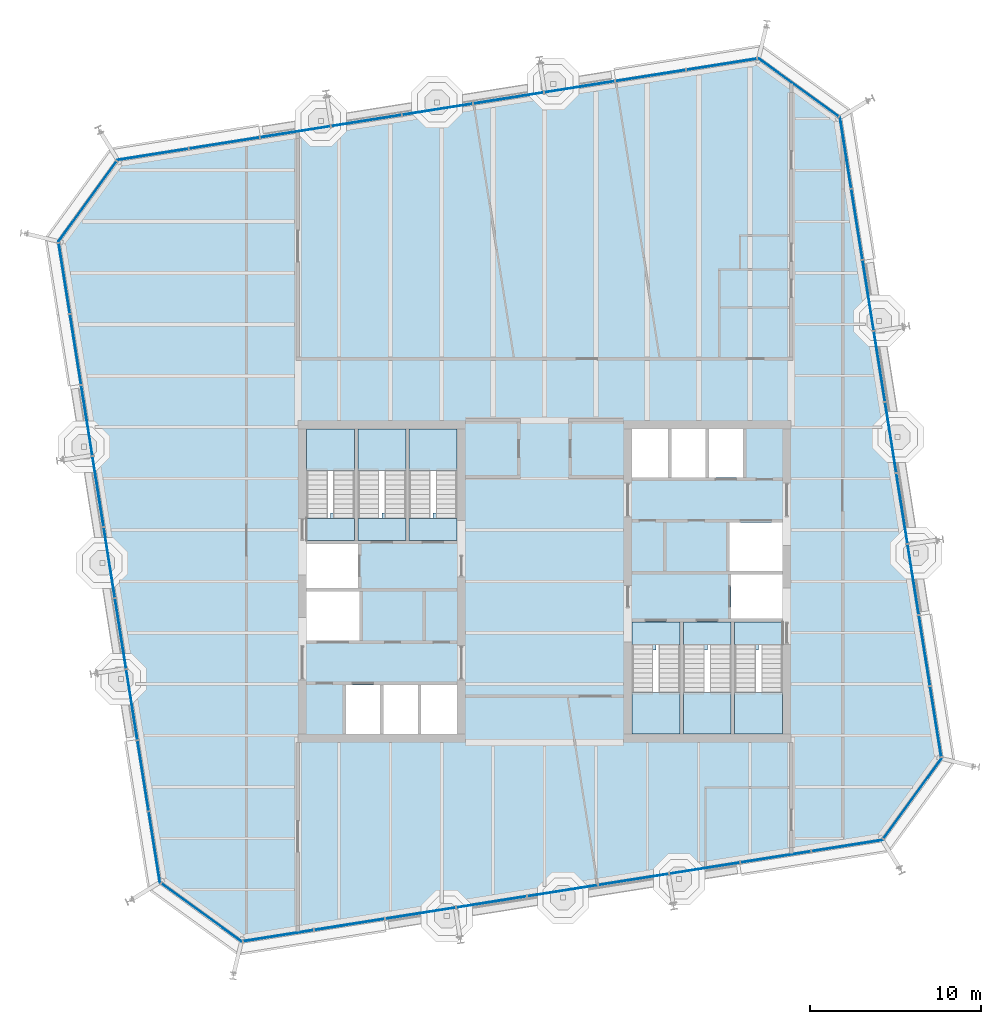
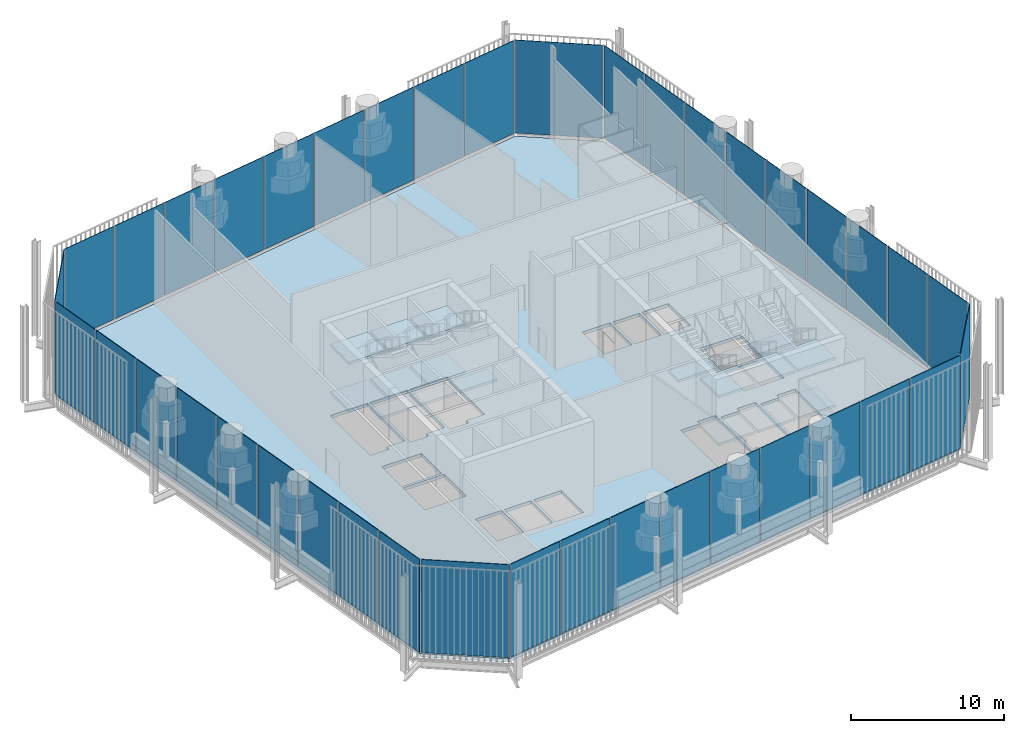
# One storey, part 10 of 17: 40 plates, 19 slabs, 14 elements without a shape of their own.
"""IFC4 building model written with IfcOpenShell, lengths in metres."""

from ifc_helpers import new_model, si_unit, direction, frame, origin, place, context, subcontext, project, spatial, polyline, outline, extrude, material, layer, layer_set, type_object, element, aggregate, save


model = new_model("IFC4")

# Units and contexts
model_context = context("Model", 3, precision=1e-05, world=origin(), true_north=direction((0.0, 1.0)))
body_context = subcontext(model_context, "Body", "Model", "MODEL_VIEW")
ifc_project = project(units=[si_unit("LENGTHUNIT", "METRE"), si_unit("AREAUNIT", "SQUARE_METRE"), si_unit("VOLUMEUNIT", "CUBIC_METRE"), si_unit("PLANEANGLEUNIT", "RADIAN"), si_unit("MASSUNIT", "GRAM", prefix="KILO")], contexts=[model_context])

# Site, building, storey
site_placement = place(None, origin())
site = spatial("IfcSite", under=ifc_project, at=site_placement, CompositionType="ELEMENT")
building_placement = place(site_placement, origin())
building = spatial("IfcBuilding", under=site, at=building_placement, Name="Millrace Tower", CompositionType="ELEMENT")
storey_placement = place(building_placement, frame((0.0, 0.0, 239.800048828125)))
storey = spatial("IfcBuildingStorey", under=building, at=storey_placement, Name="L55", CompositionType="ELEMENT", Elevation=239.800048828125)

# Curtain wall, plate
ifc_material_1 = material(Name="Aluminium and glass", Category="aluminium")
ifc_layer_1 = layer(ifc_material_1, 0.199951171875)
ifc_layer_set_1 = layer_set([ifc_layer_1], Name="Aluminium and glass")
curtain_wall_type = type_object("IfcCurtainWallType", Name="CW-4 sky garden winter glazing", PredefinedType="NOTDEFINED", material=ifc_layer_set_1)
placement_1 = place(storey_placement, origin())
curtain_wall_1 = element("IfcCurtainWall", 1, at=placement_1, inside=storey, type_object=curtain_wall_type, Name="Curtain wall D-F01 L55", PredefinedType="NOTDEFINED")
ifc_material_2 = material(Name="Glass", Category="glass")
ifc_layer_2 = layer(ifc_material_2, 0.0439453125)
ifc_layer_set_2 = layer_set([ifc_layer_2], Name="Glass")
plate_type = type_object("IfcPlateType", Name="CW-4 sky garden winter glazing triple-glazed double-height panel", PredefinedType="CURTAIN_PANEL", material=ifc_layer_set_2)
placement_2 = place(storey_placement, frame((0.0, 0.0, 0.179931640625)))
plate_1 = element("IfcPlate", 2, at=placement_2, type_object=plate_type, Name="CW4 panel D-F01.1", PredefinedType="CURTAIN_PANEL", context=body_context, shape_type="SweptSolid", body=[
    extrude(outline(polyline([(-22.3671875, -17.6611328125), (-17.7001953125, -21.0517578125), (-17.68896484375, -21.005615234375), (-22.34130859375, -17.62548828125), (-22.3671875, -17.6611328125)])), origin(), (0.0, 0.0, 1.0), 7.419921875),
])
aggregate(curtain_wall_1, [plate_1])

# Curtain wall, plates
curtain_wall_2 = element("IfcCurtainWall", 3, at=placement_1, inside=storey, type_object=curtain_wall_type, Name="Curtain wall D-F02 L55", PredefinedType="NOTDEFINED")
plate_2 = element("IfcPlate", 4, at=placement_2, type_object=plate_type, Name="CW4 panel D-F02.1", PredefinedType="CURTAIN_PANEL", context=body_context, shape_type="SweptSolid", body=[
    extrude(outline(polyline([(-17.5712890625, -21.031494140625), (-13.501953125, -20.386962890625), (-13.5087890625, -20.343505859375), (-17.578125, -20.988037109375), (-17.5712890625, -21.031494140625)])), origin(), (0.0, 0.0, 1.0), 7.419921875),
])
plate_3 = element("IfcPlate", 5, at=placement_2, type_object=plate_type, Name="CW4 panel D-F02.2", PredefinedType="CURTAIN_PANEL", context=body_context, shape_type="SweptSolid", body=[
    extrude(outline(polyline([(-13.4228515625, -20.37451171875), (-9.353759765625, -19.72998046875), (-9.360595703125, -19.6865234375), (-13.4296875, -20.3310546875), (-13.4228515625, -20.37451171875)])), origin(), (0.0, 0.0, 1.0), 7.419921875),
])
plate_4 = element("IfcPlate", 6, at=placement_2, type_object=plate_type, Name="CW4 panel D-F02.3", PredefinedType="CURTAIN_PANEL", context=body_context, shape_type="SweptSolid", body=[
    extrude(outline(polyline([(-9.274658203125, -19.71728515625), (-5.205322265625, -19.07275390625), (-5.212158203125, -19.029296875), (-9.281494140625, -19.673828125), (-9.274658203125, -19.71728515625)])), origin(), (0.0, 0.0, 1.0), 7.419921875),
])
plate_5 = element("IfcPlate", 7, at=placement_2, type_object=plate_type, Name="CW4 panel D-F02.4", PredefinedType="CURTAIN_PANEL", context=body_context, shape_type="SweptSolid", body=[
    extrude(outline(polyline([(-5.12646484375, -19.060302734375), (-1.05712890625, -18.415771484375), (-1.06396484375, -18.372314453125), (-5.13330078125, -19.016845703125), (-5.12646484375, -19.060302734375)])), origin(), (0.0, 0.0, 1.0), 7.419921875),
])
plate_6 = element("IfcPlate", 8, at=placement_2, type_object=plate_type, Name="CW4 panel D-F02.5", PredefinedType="CURTAIN_PANEL", context=body_context, shape_type="SweptSolid", body=[
    extrude(outline(polyline([(-0.97802734375, -18.4033203125), (3.09130859375, -17.7587890625), (3.084228515625, -17.71533203125), (-0.98486328125, -18.35986328125), (-0.97802734375, -18.4033203125)])), origin(), (0.0, 0.0, 1.0), 7.419921875),
])
plate_7 = element("IfcPlate", 9, at=placement_2, type_object=plate_type, Name="CW4 panel D-F02.6", PredefinedType="CURTAIN_PANEL", context=body_context, shape_type="SweptSolid", body=[
    extrude(outline(polyline([(3.170166015625, -17.746337890625), (7.239501953125, -17.101806640625), (7.232666015625, -17.058349609375), (3.163330078125, -17.702880859375), (3.170166015625, -17.746337890625)])), origin(), (0.0, 0.0, 1.0), 7.419921875),
])
plate_8 = element("IfcPlate", 10, at=placement_2, type_object=plate_type, Name="CW4 panel D-F02.7", PredefinedType="CURTAIN_PANEL", context=body_context, shape_type="SweptSolid", body=[
    extrude(outline(polyline([(7.318603515625, -17.08935546875), (11.3876953125, -16.44482421875), (11.380859375, -16.4013671875), (7.311767578125, -17.0458984375), (7.318603515625, -17.08935546875)])), origin(), (0.0, 0.0, 1.0), 7.419921875),
])
plate_9 = element("IfcPlate", 11, at=placement_2, type_object=plate_type, Name="CW4 panel D-F02.8", PredefinedType="CURTAIN_PANEL", context=body_context, shape_type="SweptSolid", body=[
    extrude(outline(polyline([(11.466796875, -16.432373046875), (15.5361328125, -15.787841796875), (15.529296875, -15.744384765625), (11.4599609375, -16.388916015625), (11.466796875, -16.432373046875)])), origin(), (0.0, 0.0, 1.0), 7.419921875),
])
plate_10 = element("IfcPlate", 12, at=placement_2, type_object=plate_type, Name="CW4 panel D-F02.9", PredefinedType="CURTAIN_PANEL", context=body_context, shape_type="SweptSolid", body=[
    extrude(outline(polyline([(15.614990234375, -15.775146484375), (19.734375, -15.122802734375), (19.70947265625, -15.082275390625), (15.608154296875, -15.731689453125), (15.614990234375, -15.775146484375)])), origin(), (0.0, 0.0, 1.0), 7.419921875),
])
aggregate(curtain_wall_2, [plate_2, plate_3, plate_4, plate_5, plate_6, plate_7, plate_8, plate_9, plate_10])

# Curtain wall, plate
curtain_wall_3 = element("IfcCurtainWall", 13, at=placement_1, inside=storey, type_object=curtain_wall_type, Name="Curtain wall D-F03 L55", PredefinedType="NOTDEFINED")
plate_11 = element("IfcPlate", 14, at=placement_2, type_object=plate_type, Name="CW4 panel D-F03.1", PredefinedType="CURTAIN_PANEL", context=body_context, shape_type="SweptSolid", body=[
    extrude(outline(polyline([(19.81103515625, -15.01708984375), (23.201904296875, -10.35009765625), (23.155517578125, -10.339111328125), (19.775390625, -14.991455078125), (19.81103515625, -15.01708984375)])), origin(), (0.0, 0.0, 1.0), 7.419921875),
])
aggregate(curtain_wall_3, [plate_11])

# Curtain wall, plates
curtain_wall_4 = element("IfcCurtainWall", 15, at=placement_1, inside=storey, type_object=curtain_wall_type, Name="Curtain wall D-F04 L55", PredefinedType="NOTDEFINED")
plate_12 = element("IfcPlate", 16, at=placement_2, type_object=plate_type, Name="CW4 panel D-F04.1", PredefinedType="CURTAIN_PANEL", context=body_context, shape_type="SweptSolid", body=[
    extrude(outline(polyline([(23.181396484375, -10.22119140625), (22.536865234375, -6.15185546875), (22.493408203125, -6.158935546875), (23.137939453125, -10.22802734375), (23.181396484375, -10.22119140625)])), origin(), (0.0, 0.0, 1.0), 7.419921875),
])
plate_13 = element("IfcPlate", 17, at=placement_2, type_object=plate_type, Name="CW4 panel D-F04.2", PredefinedType="CURTAIN_PANEL", context=body_context, shape_type="SweptSolid", body=[
    extrude(outline(polyline([(22.5244140625, -6.072998046875), (21.8798828125, -2.003662109375), (21.83642578125, -2.010498046875), (22.48095703125, -6.079833984375), (22.5244140625, -6.072998046875)])), origin(), (0.0, 0.0, 1.0), 7.419921875),
])
plate_14 = element("IfcPlate", 18, at=placement_2, type_object=plate_type, Name="CW4 panel D-F04.3", PredefinedType="CURTAIN_PANEL", context=body_context, shape_type="SweptSolid", body=[
    extrude(outline(polyline([(21.867431640625, -1.924560546875), (21.222900390625, 2.14453125), (21.179443359375, 2.1376953125), (21.823974609375, -1.931396484375), (21.867431640625, -1.924560546875)])), origin(), (0.0, 0.0, 1.0), 7.419921875),
])
plate_15 = element("IfcPlate", 19, at=placement_2, type_object=plate_type, Name="CW4 panel D-F04.4", PredefinedType="CURTAIN_PANEL", context=body_context, shape_type="SweptSolid", body=[
    extrude(outline(polyline([(21.21044921875, 2.2236328125), (20.56591796875, 6.29296875), (20.5224609375, 6.2861328125), (21.1669921875, 2.216796875), (21.21044921875, 2.2236328125)])), origin(), (0.0, 0.0, 1.0), 7.419921875),
])
plate_16 = element("IfcPlate", 20, at=placement_2, type_object=plate_type, Name="CW4 panel D-F04.5", PredefinedType="CURTAIN_PANEL", context=body_context, shape_type="SweptSolid", body=[
    extrude(outline(polyline([(20.55322265625, 6.371826171875), (19.908935546875, 10.441162109375), (19.865478515625, 10.434326171875), (20.509765625, 6.364990234375), (20.55322265625, 6.371826171875)])), origin(), (0.0, 0.0, 1.0), 7.419921875),
])
plate_17 = element("IfcPlate", 21, at=placement_2, type_object=plate_type, Name="CW4 panel D-F04.6", PredefinedType="CURTAIN_PANEL", context=body_context, shape_type="SweptSolid", body=[
    extrude(outline(polyline([(19.896240234375, 10.520263671875), (19.251708984375, 14.589599609375), (19.208251953125, 14.58251953125), (19.852783203125, 10.513427734375), (19.896240234375, 10.520263671875)])), origin(), (0.0, 0.0, 1.0), 7.419921875),
])
plate_18 = element("IfcPlate", 22, at=placement_2, type_object=plate_type, Name="CW4 panel D-F04.7", PredefinedType="CURTAIN_PANEL", context=body_context, shape_type="SweptSolid", body=[
    extrude(outline(polyline([(19.2392578125, 14.66845703125), (18.5947265625, 18.73779296875), (18.55126953125, 18.73095703125), (19.19580078125, 14.66162109375), (19.2392578125, 14.66845703125)])), origin(), (0.0, 0.0, 1.0), 7.419921875),
])
plate_19 = element("IfcPlate", 23, at=placement_2, type_object=plate_type, Name="CW4 panel D-F04.8", PredefinedType="CURTAIN_PANEL", context=body_context, shape_type="SweptSolid", body=[
    extrude(outline(polyline([(18.582275390625, 18.81689453125), (17.937744140625, 22.885986328125), (17.894287109375, 22.879150390625), (18.538818359375, 18.81005859375), (18.582275390625, 18.81689453125)])), origin(), (0.0, 0.0, 1.0), 7.419921875),
])
plate_20 = element("IfcPlate", 24, at=placement_2, type_object=plate_type, Name="CW4 panel D-F04.9", PredefinedType="CURTAIN_PANEL", context=body_context, shape_type="SweptSolid", body=[
    extrude(outline(polyline([(17.92529296875, 22.965087890625), (17.272705078125, 27.084228515625), (17.232177734375, 27.059326171875), (17.8818359375, 22.958251953125), (17.92529296875, 22.965087890625)])), origin(), (0.0, 0.0, 1.0), 7.419921875),
])
aggregate(curtain_wall_4, [plate_12, plate_13, plate_14, plate_15, plate_16, plate_17, plate_18, plate_19, plate_20])

# Curtain wall, plate
curtain_wall_5 = element("IfcCurtainWall", 25, at=placement_1, inside=storey, type_object=curtain_wall_type, Name="Curtain wall D-F05 L55", PredefinedType="NOTDEFINED")
plate_21 = element("IfcPlate", 26, at=placement_2, type_object=plate_type, Name="CW4 panel D-F05.1", PredefinedType="CURTAIN_PANEL", context=body_context, shape_type="SweptSolid", body=[
    extrude(outline(polyline([(17.167236328125, 27.1611328125), (12.500244140625, 30.5517578125), (12.489013671875, 30.505615234375), (17.141357421875, 27.12548828125), (17.167236328125, 27.1611328125)])), origin(), (0.0, 0.0, 1.0), 7.419921875),
])
aggregate(curtain_wall_5, [plate_21])

# Curtain wall, plates
curtain_wall_6 = element("IfcCurtainWall", 27, at=placement_1, inside=storey, type_object=curtain_wall_type, Name="Curtain wall D-F06 L55", PredefinedType="NOTDEFINED")
plate_22 = element("IfcPlate", 28, at=placement_2, type_object=plate_type, Name="CW4 panel D-F06.1", PredefinedType="CURTAIN_PANEL", context=body_context, shape_type="SweptSolid", body=[
    extrude(outline(polyline([(12.371337890625, 30.531494140625), (8.302001953125, 29.886962890625), (8.308837890625, 29.843505859375), (12.378173828125, 30.488037109375), (12.371337890625, 30.531494140625)])), origin(), (0.0, 0.0, 1.0), 7.419921875),
])
plate_23 = element("IfcPlate", 29, at=placement_2, type_object=plate_type, Name="CW4 panel D-F06.2", PredefinedType="CURTAIN_PANEL", context=body_context, shape_type="SweptSolid", body=[
    extrude(outline(polyline([(8.222900390625, 29.87451171875), (4.153564453125, 29.22998046875), (4.16064453125, 29.1865234375), (8.229736328125, 29.8310546875), (8.222900390625, 29.87451171875)])), origin(), (0.0, 0.0, 1.0), 7.419921875),
])
plate_24 = element("IfcPlate", 30, at=placement_2, type_object=plate_type, Name="CW4 panel D-F06.3", PredefinedType="CURTAIN_PANEL", context=body_context, shape_type="SweptSolid", body=[
    extrude(outline(polyline([(4.07470703125, 29.21728515625), (0.00537109375, 28.57275390625), (0.01220703125, 28.529296875), (4.08154296875, 29.173828125), (4.07470703125, 29.21728515625)])), origin(), (0.0, 0.0, 1.0), 7.419921875),
])
plate_25 = element("IfcPlate", 31, at=placement_2, type_object=plate_type, Name="CW4 panel D-F06.4", PredefinedType="CURTAIN_PANEL", context=body_context, shape_type="SweptSolid", body=[
    extrude(outline(polyline([(-0.07373046875, 28.560302734375), (-4.142822265625, 27.915771484375), (-4.135986328125, 27.872314453125), (-0.06689453125, 28.516845703125), (-0.07373046875, 28.560302734375)])), origin(), (0.0, 0.0, 1.0), 7.419921875),
])
plate_26 = element("IfcPlate", 32, at=placement_2, type_object=plate_type, Name="CW4 panel D-F06.5", PredefinedType="CURTAIN_PANEL", context=body_context, shape_type="SweptSolid", body=[
    extrude(outline(polyline([(-4.221923828125, 27.9033203125), (-8.291259765625, 27.2587890625), (-8.284423828125, 27.21533203125), (-4.215087890625, 27.85986328125), (-4.221923828125, 27.9033203125)])), origin(), (0.0, 0.0, 1.0), 7.419921875),
])
plate_27 = element("IfcPlate", 33, at=placement_2, type_object=plate_type, Name="CW4 panel D-F06.6", PredefinedType="CURTAIN_PANEL", context=body_context, shape_type="SweptSolid", body=[
    extrude(outline(polyline([(-8.3701171875, 27.246337890625), (-12.439453125, 26.601806640625), (-12.4326171875, 26.558349609375), (-8.36328125, 27.202880859375), (-8.3701171875, 27.246337890625)])), origin(), (0.0, 0.0, 1.0), 7.419921875),
])
plate_28 = element("IfcPlate", 34, at=placement_2, type_object=plate_type, Name="CW4 panel D-F06.7", PredefinedType="CURTAIN_PANEL", context=body_context, shape_type="SweptSolid", body=[
    extrude(outline(polyline([(-12.5185546875, 26.58935546875), (-16.587890625, 25.94482421875), (-16.580810546875, 25.9013671875), (-12.51171875, 26.5458984375), (-12.5185546875, 26.58935546875)])), origin(), (0.0, 0.0, 1.0), 7.419921875),
])
plate_29 = element("IfcPlate", 35, at=placement_2, type_object=plate_type, Name="CW4 panel D-F06.8", PredefinedType="CURTAIN_PANEL", context=body_context, shape_type="SweptSolid", body=[
    extrude(outline(polyline([(-16.666748046875, 25.932373046875), (-20.736083984375, 25.287841796875), (-20.729248046875, 25.244384765625), (-16.659912109375, 25.888916015625), (-16.666748046875, 25.932373046875)])), origin(), (0.0, 0.0, 1.0), 7.419921875),
])
plate_30 = element("IfcPlate", 36, at=placement_2, type_object=plate_type, Name="CW4 panel D-F06.9", PredefinedType="CURTAIN_PANEL", context=body_context, shape_type="SweptSolid", body=[
    extrude(outline(polyline([(-20.815185546875, 25.275146484375), (-24.934326171875, 24.622802734375), (-24.909423828125, 24.582275390625), (-20.808349609375, 25.231689453125), (-20.815185546875, 25.275146484375)])), origin(), (0.0, 0.0, 1.0), 7.419921875),
])
aggregate(curtain_wall_6, [plate_22, plate_23, plate_24, plate_25, plate_26, plate_27, plate_28, plate_29, plate_30])

# Curtain wall, plate
curtain_wall_7 = element("IfcCurtainWall", 37, at=placement_1, inside=storey, type_object=curtain_wall_type, Name="Curtain wall D-F07 L55", PredefinedType="NOTDEFINED")
plate_31 = element("IfcPlate", 38, at=placement_2, type_object=plate_type, Name="CW4 panel D-F07.1", PredefinedType="CURTAIN_PANEL", context=body_context, shape_type="SweptSolid", body=[
    extrude(outline(polyline([(-25.010986328125, 24.51708984375), (-28.40185546875, 19.85009765625), (-28.35546875, 19.839111328125), (-24.975341796875, 24.491455078125), (-25.010986328125, 24.51708984375)])), origin(), (0.0, 0.0, 1.0), 7.419921875),
])
aggregate(curtain_wall_7, [plate_31])

# Curtain wall, plates
curtain_wall_8 = element("IfcCurtainWall", 39, at=placement_1, inside=storey, type_object=curtain_wall_type, Name="Curtain wall D-F08 L55", PredefinedType="NOTDEFINED")
plate_32 = element("IfcPlate", 40, at=placement_2, type_object=plate_type, Name="CW4 panel D-F08.1", PredefinedType="CURTAIN_PANEL", context=body_context, shape_type="SweptSolid", body=[
    extrude(outline(polyline([(-28.38134765625, 19.72119140625), (-27.73681640625, 15.65185546875), (-27.693359375, 15.658935546875), (-28.337890625, 19.72802734375), (-28.38134765625, 19.72119140625)])), origin(), (0.0, 0.0, 1.0), 7.419921875),
])
plate_33 = element("IfcPlate", 41, at=placement_2, type_object=plate_type, Name="CW4 panel D-F08.2", PredefinedType="CURTAIN_PANEL", context=body_context, shape_type="SweptSolid", body=[
    extrude(outline(polyline([(-27.724365234375, 15.572998046875), (-27.079833984375, 11.503662109375), (-27.036376953125, 11.510498046875), (-27.680908203125, 15.579833984375), (-27.724365234375, 15.572998046875)])), origin(), (0.0, 0.0, 1.0), 7.419921875),
])
plate_34 = element("IfcPlate", 42, at=placement_2, type_object=plate_type, Name="CW4 panel D-F08.3", PredefinedType="CURTAIN_PANEL", context=body_context, shape_type="SweptSolid", body=[
    extrude(outline(polyline([(-27.0673828125, 11.424560546875), (-26.4228515625, 7.35546875), (-26.37939453125, 7.3623046875), (-27.02392578125, 11.431396484375), (-27.0673828125, 11.424560546875)])), origin(), (0.0, 0.0, 1.0), 7.419921875),
])
plate_35 = element("IfcPlate", 43, at=placement_2, type_object=plate_type, Name="CW4 panel D-F08.4", PredefinedType="CURTAIN_PANEL", context=body_context, shape_type="SweptSolid", body=[
    extrude(outline(polyline([(-26.410400390625, 7.2763671875), (-25.765869140625, 3.20703125), (-25.722412109375, 3.2138671875), (-26.366943359375, 7.283203125), (-26.410400390625, 7.2763671875)])), origin(), (0.0, 0.0, 1.0), 7.419921875),
])
plate_36 = element("IfcPlate", 44, at=placement_2, type_object=plate_type, Name="CW4 panel D-F08.5", PredefinedType="CURTAIN_PANEL", context=body_context, shape_type="SweptSolid", body=[
    extrude(outline(polyline([(-25.75341796875, 3.128173828125), (-25.10888671875, -0.941162109375), (-25.0654296875, -0.934326171875), (-25.7099609375, 3.135009765625), (-25.75341796875, 3.128173828125)])), origin(), (0.0, 0.0, 1.0), 7.419921875),
])
plate_37 = element("IfcPlate", 45, at=placement_2, type_object=plate_type, Name="CW4 panel D-F08.6", PredefinedType="CURTAIN_PANEL", context=body_context, shape_type="SweptSolid", body=[
    extrude(outline(polyline([(-25.09619140625, -1.020263671875), (-24.451904296875, -5.089599609375), (-24.408447265625, -5.08251953125), (-25.052734375, -1.013427734375), (-25.09619140625, -1.020263671875)])), origin(), (0.0, 0.0, 1.0), 7.419921875),
])
plate_38 = element("IfcPlate", 46, at=placement_2, type_object=plate_type, Name="CW4 panel D-F08.7", PredefinedType="CURTAIN_PANEL", context=body_context, shape_type="SweptSolid", body=[
    extrude(outline(polyline([(-24.439208984375, -5.16845703125), (-23.794677734375, -9.23779296875), (-23.751220703125, -9.23095703125), (-24.395751953125, -5.16162109375), (-24.439208984375, -5.16845703125)])), origin(), (0.0, 0.0, 1.0), 7.419921875),
])
plate_39 = element("IfcPlate", 47, at=placement_2, type_object=plate_type, Name="CW4 panel D-F08.8", PredefinedType="CURTAIN_PANEL", context=body_context, shape_type="SweptSolid", body=[
    extrude(outline(polyline([(-23.7822265625, -9.31689453125), (-23.1376953125, -13.385986328125), (-23.09423828125, -13.379150390625), (-23.73876953125, -9.31005859375), (-23.7822265625, -9.31689453125)])), origin(), (0.0, 0.0, 1.0), 7.419921875),
])
plate_40 = element("IfcPlate", 48, at=placement_2, type_object=plate_type, Name="CW4 panel D-F08.9", PredefinedType="CURTAIN_PANEL", context=body_context, shape_type="SweptSolid", body=[
    extrude(outline(polyline([(-23.125244140625, -13.465087890625), (-22.472900390625, -17.584228515625), (-22.43212890625, -17.559326171875), (-23.081787109375, -13.458251953125), (-23.125244140625, -13.465087890625)])), origin(), (0.0, 0.0, 1.0), 7.419921875),
])
aggregate(curtain_wall_8, [plate_32, plate_33, plate_34, plate_35, plate_36, plate_37, plate_38, plate_39, plate_40])

# Slab
ifc_material_3 = material(Name="Concrete C35 on steel deck", Category="concrete")
ifc_layer_3 = layer(ifc_material_3, 0.25)
ifc_layer_set_3 = layer_set([ifc_layer_3], Name="Concrete C35 on steel deck")
slab_type_1 = type_object("IfcSlabType", Name="Composite floor slab 250 mm", PredefinedType="FLOOR", material=ifc_layer_set_3)
slab_1_placement = place(storey_placement, frame((0.0, 0.0, -0.25)))
element("IfcSlab", 49, at=slab_1_placement, inside=storey, type_object=slab_type_1, Name="SL-D-L55-S1", PredefinedType="FLOOR", context=body_context, shape_type="SweptSolid", body=[
    extrude(outline(polyline([(-22.360107421875, -17.515380859375), (-17.66943359375, -20.92333984375), (19.665283203125, -15.01025390625), (23.073486328125, -10.3193359375), (17.16015625, 27.015380859375), (12.46923828125, 30.42333984375), (-24.865234375, 24.51025390625), (-28.2734375, 19.8193359375), (-22.360107421875, -17.515380859375)]), holes=[polyline([(-11.60009765625, -8.89990234375), (-9.60009765625, -8.89990234375), (-9.60009765625, -6.050048828125), (-11.60009765625, -6.050048828125), (-11.60009765625, -8.89990234375)]), polyline([(-9.39990234375, -8.89990234375), (-7.39990234375, -8.89990234375), (-7.39990234375, -6.050048828125), (-9.39990234375, -6.050048828125), (-9.39990234375, -8.89990234375)]), polyline([(-7.199951171875, -8.89990234375), (-5.10009765625, -8.89990234375), (-5.10009765625, -6.050048828125), (-7.199951171875, -6.050048828125), (-7.199951171875, -8.89990234375)]), polyline([(-13.89990234375, -3.449951171875), (-10.800048828125, -3.449951171875), (-10.800048828125, -0.60009765625), (-13.89990234375, -0.60009765625), (-13.89990234375, -3.449951171875)]), polyline([(-13.89990234375, -0.39990234375), (-10.89990234375, -0.39990234375), (-10.89990234375, 2.179931640625), (-13.89990234375, 2.179931640625), (-13.89990234375, -0.39990234375)]), polyline([(-12.5, 3.679931640625), (-12.5, 4.0), (-11.10009765625, 4.0), (-11.10009765625, 8.89990234375), (-12.5, 8.89990234375), (-13.89990234375, 8.89990234375), (-13.89990234375, 3.679931640625), (-12.5, 3.679931640625)]), polyline([(-9.5, 3.679931640625), (-9.5, 4.0), (-8.10009765625, 4.0), (-8.10009765625, 8.89990234375), (-9.5, 8.89990234375), (-10.89990234375, 8.89990234375), (-10.89990234375, 3.679931640625), (-9.5, 3.679931640625)]), polyline([(-6.5, 3.679931640625), (-6.5, 4.0), (-5.10009765625, 4.0), (-5.10009765625, 8.89990234375), (-6.5, 8.89990234375), (-7.89990234375, 8.89990234375), (-7.89990234375, 3.679931640625), (-6.5, 3.679931640625)]), polyline([(9.60009765625, 6.050048828125), (11.60009765625, 6.050048828125), (11.60009765625, 8.89990234375), (9.60009765625, 8.89990234375), (9.60009765625, 6.050048828125)]), polyline([(7.39990234375, 6.050048828125), (9.39990234375, 6.050048828125), (9.39990234375, 8.89990234375), (7.39990234375, 8.89990234375), (7.39990234375, 6.050048828125)]), polyline([(5.10009765625, 6.050048828125), (7.199951171875, 6.050048828125), (7.199951171875, 8.89990234375), (5.10009765625, 8.89990234375), (5.10009765625, 6.050048828125)]), polyline([(10.800048828125, 0.60009765625), (13.89990234375, 0.60009765625), (13.89990234375, 3.449951171875), (10.800048828125, 3.449951171875), (10.800048828125, 0.60009765625)]), polyline([(10.89990234375, -2.179931640625), (13.89990234375, -2.179931640625), (13.89990234375, 0.39990234375), (10.89990234375, 0.39990234375), (10.89990234375, -2.179931640625)]), polyline([(11.10009765625, -8.89990234375), (12.5, -8.89990234375), (13.89990234375, -8.89990234375), (13.89990234375, -3.679931640625), (12.5, -3.679931640625), (12.5, -4.0), (11.10009765625, -4.0), (11.10009765625, -8.89990234375)]), polyline([(8.10009765625, -8.89990234375), (9.5, -8.89990234375), (10.89990234375, -8.89990234375), (10.89990234375, -3.679931640625), (9.5, -3.679931640625), (9.5, -4.0), (8.10009765625, -4.0), (8.10009765625, -8.89990234375)]), polyline([(5.10009765625, -8.89990234375), (6.5, -8.89990234375), (7.89990234375, -8.89990234375), (7.89990234375, -3.679931640625), (6.5, -3.679931640625), (6.5, -4.0), (5.10009765625, -4.0), (5.10009765625, -8.89990234375)])]), origin(), (0.0, 0.0, 1.0), 0.25),
])

# Stair, slabs
ifc_material_4 = material(Name="Concrete C35", Category="concrete")
stair_type = type_object("IfcStairType", Name="Exit stair", PredefinedType="HALF_TURN_STAIR", material=ifc_material_4)
stair_1 = element("IfcStair", 50, at=placement_1, inside=storey, type_object=stair_type, Name="Stair 1 W L55", PredefinedType="HALF_TURN_STAIR")
ifc_material_5 = material(Name="Concrete C40", Category="concrete")
ifc_layer_4 = layer(ifc_material_5, 0.199951171875)
ifc_layer_set_4 = layer_set([ifc_layer_4], Name="Concrete C40")
slab_type_2 = type_object("IfcSlabType", Name="Stair landing", PredefinedType="LANDING", material=ifc_layer_set_4)
placement_3 = place(storey_placement, frame((0.0, 0.0, 1.699951171875)))
slab_2 = element("IfcSlab", 51, at=placement_3, type_object=slab_type_2, Name="ST12 landing 1", PredefinedType="LANDING", context=body_context, shape_type="SweptSolid", body=[
    extrude(outline(polyline([(-13.89990234375, 6.47998046875), (-11.10009765625, 6.47998046875), (-11.10009765625, 8.89990234375), (-13.89990234375, 8.89990234375), (-13.89990234375, 6.47998046875)])), origin(), (0.0, 0.0, 1.0), 0.199951171875),
])
placement_4 = place(storey_placement, frame((0.0, 0.0, 3.599853515625)))
slab_3 = element("IfcSlab", 52, at=placement_4, type_object=slab_type_2, Name="ST12 landing 2", PredefinedType="LANDING", context=body_context, shape_type="SweptSolid", body=[
    extrude(outline(polyline([(-13.89990234375, 2.3798828125), (-11.10009765625, 2.3798828125), (-11.10009765625, 3.679931640625), (-13.89990234375, 3.679931640625), (-13.89990234375, 2.3798828125)])), origin(), (0.0, 0.0, 1.0), 0.2001953125),
])
placement_5 = place(storey_placement, frame((0.0, 0.0, 5.5)))
slab_4 = element("IfcSlab", 53, at=placement_5, type_object=slab_type_2, Name="ST12 landing 3", PredefinedType="LANDING", context=body_context, shape_type="SweptSolid", body=[
    extrude(outline(polyline([(-13.89990234375, 6.47998046875), (-11.10009765625, 6.47998046875), (-11.10009765625, 8.89990234375), (-13.89990234375, 8.89990234375), (-13.89990234375, 6.47998046875)])), origin(), (0.0, 0.0, 1.0), 0.199951171875),
])
aggregate(stair_1, [slab_2, slab_3, slab_4])

stair_2 = element("IfcStair", 54, at=placement_1, inside=storey, type_object=stair_type, Name="Stair 2 W L55", PredefinedType="HALF_TURN_STAIR")
slab_5 = element("IfcSlab", 55, at=placement_3, type_object=slab_type_2, Name="ST12 landing 1", PredefinedType="LANDING", context=body_context, shape_type="SweptSolid", body=[
    extrude(outline(polyline([(-10.89990234375, 6.47998046875), (-8.10009765625, 6.47998046875), (-8.10009765625, 8.89990234375), (-10.89990234375, 8.89990234375), (-10.89990234375, 6.47998046875)])), origin(), (0.0, 0.0, 1.0), 0.199951171875),
])
slab_6 = element("IfcSlab", 56, at=placement_4, type_object=slab_type_2, Name="ST12 landing 2", PredefinedType="LANDING", context=body_context, shape_type="SweptSolid", body=[
    extrude(outline(polyline([(-10.89990234375, 2.3798828125), (-8.10009765625, 2.3798828125), (-8.10009765625, 3.679931640625), (-10.89990234375, 3.679931640625), (-10.89990234375, 2.3798828125)])), origin(), (0.0, 0.0, 1.0), 0.2001953125),
])
slab_7 = element("IfcSlab", 57, at=placement_5, type_object=slab_type_2, Name="ST12 landing 3", PredefinedType="LANDING", context=body_context, shape_type="SweptSolid", body=[
    extrude(outline(polyline([(-10.89990234375, 6.47998046875), (-8.10009765625, 6.47998046875), (-8.10009765625, 8.89990234375), (-10.89990234375, 8.89990234375), (-10.89990234375, 6.47998046875)])), origin(), (0.0, 0.0, 1.0), 0.199951171875),
])
aggregate(stair_2, [slab_5, slab_6, slab_7])

stair_3 = element("IfcStair", 58, at=placement_1, inside=storey, type_object=stair_type, Name="Stair 3 W L55", PredefinedType="HALF_TURN_STAIR")
slab_8 = element("IfcSlab", 59, at=placement_3, type_object=slab_type_2, Name="ST12 landing 1", PredefinedType="LANDING", context=body_context, shape_type="SweptSolid", body=[
    extrude(outline(polyline([(-7.89990234375, 6.47998046875), (-5.10009765625, 6.47998046875), (-5.10009765625, 8.89990234375), (-7.89990234375, 8.89990234375), (-7.89990234375, 6.47998046875)])), origin(), (0.0, 0.0, 1.0), 0.199951171875),
])
slab_9 = element("IfcSlab", 60, at=placement_4, type_object=slab_type_2, Name="ST12 landing 2", PredefinedType="LANDING", context=body_context, shape_type="SweptSolid", body=[
    extrude(outline(polyline([(-7.89990234375, 2.3798828125), (-5.10009765625, 2.3798828125), (-5.10009765625, 3.679931640625), (-7.89990234375, 3.679931640625), (-7.89990234375, 2.3798828125)])), origin(), (0.0, 0.0, 1.0), 0.2001953125),
])
slab_10 = element("IfcSlab", 61, at=placement_5, type_object=slab_type_2, Name="ST12 landing 3", PredefinedType="LANDING", context=body_context, shape_type="SweptSolid", body=[
    extrude(outline(polyline([(-7.89990234375, 6.47998046875), (-5.10009765625, 6.47998046875), (-5.10009765625, 8.89990234375), (-7.89990234375, 8.89990234375), (-7.89990234375, 6.47998046875)])), origin(), (0.0, 0.0, 1.0), 0.199951171875),
])
aggregate(stair_3, [slab_8, slab_9, slab_10])

stair_4 = element("IfcStair", 62, at=placement_1, inside=storey, type_object=stair_type, Name="Stair 1 E L55", PredefinedType="HALF_TURN_STAIR")
slab_11 = element("IfcSlab", 63, at=placement_3, type_object=slab_type_2, Name="ST12 landing 1", PredefinedType="LANDING", context=body_context, shape_type="SweptSolid", body=[
    extrude(outline(polyline([(11.10009765625, -8.89990234375), (13.89990234375, -8.89990234375), (13.89990234375, -6.47998046875), (11.10009765625, -6.47998046875), (11.10009765625, -8.89990234375)])), origin(), (0.0, 0.0, 1.0), 0.199951171875),
])
slab_12 = element("IfcSlab", 64, at=placement_4, type_object=slab_type_2, Name="ST12 landing 2", PredefinedType="LANDING", context=body_context, shape_type="SweptSolid", body=[
    extrude(outline(polyline([(11.10009765625, -3.679931640625), (13.89990234375, -3.679931640625), (13.89990234375, -2.3798828125), (11.10009765625, -2.3798828125), (11.10009765625, -3.679931640625)])), origin(), (0.0, 0.0, 1.0), 0.2001953125),
])
slab_13 = element("IfcSlab", 65, at=placement_5, type_object=slab_type_2, Name="ST12 landing 3", PredefinedType="LANDING", context=body_context, shape_type="SweptSolid", body=[
    extrude(outline(polyline([(11.10009765625, -8.89990234375), (13.89990234375, -8.89990234375), (13.89990234375, -6.47998046875), (11.10009765625, -6.47998046875), (11.10009765625, -8.89990234375)])), origin(), (0.0, 0.0, 1.0), 0.199951171875),
])
aggregate(stair_4, [slab_11, slab_12, slab_13])

stair_5 = element("IfcStair", 66, at=placement_1, inside=storey, type_object=stair_type, Name="Stair 2 E L55", PredefinedType="HALF_TURN_STAIR")
slab_14 = element("IfcSlab", 67, at=placement_3, type_object=slab_type_2, Name="ST12 landing 1", PredefinedType="LANDING", context=body_context, shape_type="SweptSolid", body=[
    extrude(outline(polyline([(8.10009765625, -8.89990234375), (10.89990234375, -8.89990234375), (10.89990234375, -6.47998046875), (8.10009765625, -6.47998046875), (8.10009765625, -8.89990234375)])), origin(), (0.0, 0.0, 1.0), 0.199951171875),
])
slab_15 = element("IfcSlab", 68, at=placement_4, type_object=slab_type_2, Name="ST12 landing 2", PredefinedType="LANDING", context=body_context, shape_type="SweptSolid", body=[
    extrude(outline(polyline([(8.10009765625, -3.679931640625), (10.89990234375, -3.679931640625), (10.89990234375, -2.3798828125), (8.10009765625, -2.3798828125), (8.10009765625, -3.679931640625)])), origin(), (0.0, 0.0, 1.0), 0.2001953125),
])
slab_16 = element("IfcSlab", 69, at=placement_5, type_object=slab_type_2, Name="ST12 landing 3", PredefinedType="LANDING", context=body_context, shape_type="SweptSolid", body=[
    extrude(outline(polyline([(8.10009765625, -8.89990234375), (10.89990234375, -8.89990234375), (10.89990234375, -6.47998046875), (8.10009765625, -6.47998046875), (8.10009765625, -8.89990234375)])), origin(), (0.0, 0.0, 1.0), 0.199951171875),
])
aggregate(stair_5, [slab_14, slab_15, slab_16])

stair_6 = element("IfcStair", 70, at=placement_1, inside=storey, type_object=stair_type, Name="Stair 3 E L55", PredefinedType="HALF_TURN_STAIR")
slab_17 = element("IfcSlab", 71, at=placement_3, type_object=slab_type_2, Name="ST12 landing 1", PredefinedType="LANDING", context=body_context, shape_type="SweptSolid", body=[
    extrude(outline(polyline([(5.10009765625, -8.89990234375), (7.89990234375, -8.89990234375), (7.89990234375, -6.47998046875), (5.10009765625, -6.47998046875), (5.10009765625, -8.89990234375)])), origin(), (0.0, 0.0, 1.0), 0.199951171875),
])
slab_18 = element("IfcSlab", 72, at=placement_4, type_object=slab_type_2, Name="ST12 landing 2", PredefinedType="LANDING", context=body_context, shape_type="SweptSolid", body=[
    extrude(outline(polyline([(5.10009765625, -3.679931640625), (7.89990234375, -3.679931640625), (7.89990234375, -2.3798828125), (5.10009765625, -2.3798828125), (5.10009765625, -3.679931640625)])), origin(), (0.0, 0.0, 1.0), 0.2001953125),
])
slab_19 = element("IfcSlab", 73, at=placement_5, type_object=slab_type_2, Name="ST12 landing 3", PredefinedType="LANDING", context=body_context, shape_type="SweptSolid", body=[
    extrude(outline(polyline([(5.10009765625, -8.89990234375), (7.89990234375, -8.89990234375), (7.89990234375, -6.47998046875), (5.10009765625, -6.47998046875), (5.10009765625, -8.89990234375)])), origin(), (0.0, 0.0, 1.0), 0.199951171875),
])
aggregate(stair_6, [slab_17, slab_18, slab_19])

save(model, "model.ifc")
